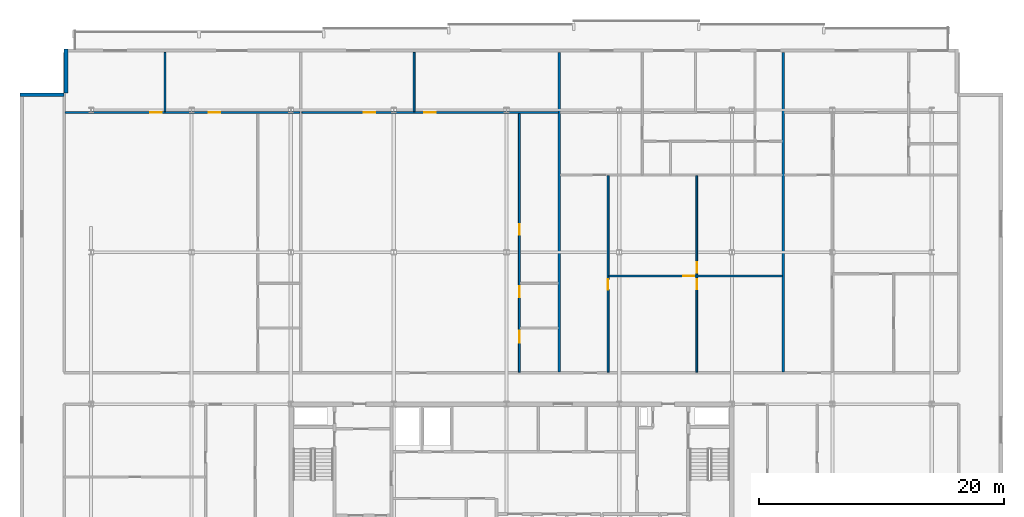
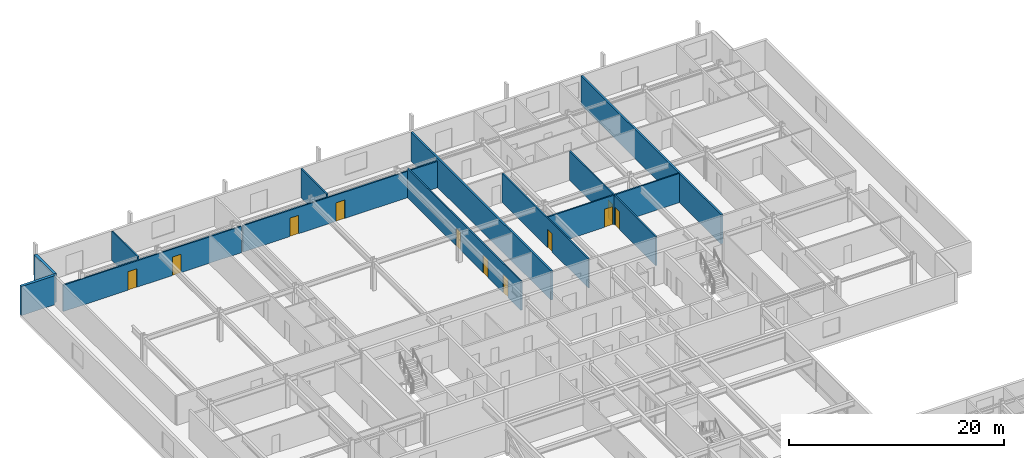
# One storey, part 27 of 36: 12 walls, 11 doors, 11 openings.
"""IFC4 building model written with IfcOpenShell, lengths in metres."""

from ifc_helpers import new_model, si_unit, direction, frame, frame_2d, origin, place, context, subcontext, project, spatial, rectangle, extrude, material, layer, layer_set, type_object, element, fill, save


model = new_model("IFC4")

# Units and contexts
model_context = context("Model", 3, precision=1e-05, world=origin(), true_north=direction((0.0, 1.0)))
body_context = subcontext(model_context, "Body", "Model", "MODEL_VIEW")
ifc_project = project(units=[si_unit("LENGTHUNIT", "METRE"), si_unit("AREAUNIT", "SQUARE_METRE"), si_unit("VOLUMEUNIT", "CUBIC_METRE"), si_unit("PLANEANGLEUNIT", "RADIAN"), si_unit("MASSUNIT", "GRAM", prefix="KILO")], contexts=[model_context])

# Site, building, storey
site_placement = place(None, origin())
site = spatial("IfcSite", under=ifc_project, at=site_placement, CompositionType="ELEMENT")
building_placement = place(site_placement, origin())
building = spatial("IfcBuilding", under=site, at=building_placement, Name="Korimba Cascade Residences", CompositionType="ELEMENT")
storey_placement = place(building_placement, frame((0.0, 0.0, 146.5)))
storey = spatial("IfcBuildingStorey", under=building, at=storey_placement, Name="L42", CompositionType="ELEMENT", Elevation=146.5)

# Walls
ifc_material_1 = material(Name="Precast concrete C40/50", Category="concrete")
ifc_layer_1 = layer(ifc_material_1, 0.300048828125)
ifc_layer_set_1 = layer_set([ifc_layer_1], Name="Precast concrete C40/50")
wall_type_1 = type_object("IfcWallType", Name="EW-STONE-300", PredefinedType="STANDARD", material=ifc_layer_set_1)
wall_1_placement = place(storey_placement, frame((57.75, 96.199951171875, 0.0), z_axis=(0.0, 0.0, 1.0), x_axis=(0.0, -1.0, 0.0)))
element("IfcWall", 1, at=wall_1_placement, inside=storey, type_object=wall_type_1, Name="L42 T1 Perimeter Stone Wall E07", PredefinedType="STANDARD", context=body_context, shape_type="SweptSolid", body=[
    extrude(rectangle(XDim=3.599853515625, YDim=0.300048828125, at=frame_2d((1.7998046875, 0.0))), origin(), (0.0, 0.0, 1.0), 3.31005859375),
])
wall_2_placement = place(storey_placement, frame((57.60009765625, 92.449951171875, 0.0), z_axis=(0.0, 0.0, 1.0), x_axis=(-1.0, 0.0, 0.0)))
element("IfcWall", 2, at=wall_2_placement, inside=storey, type_object=wall_type_1, Name="L42 T1 Perimeter Stone Wall E08", PredefinedType="STANDARD", context=body_context, shape_type="SweptSolid", body=[
    extrude(rectangle(XDim=3.60009765625, YDim=0.300048828125, at=frame_2d((1.800048828125, 0.0))), origin(), (0.0, 0.0, 1.0), 3.31005859375),
])
ifc_layer_2 = layer(ifc_material_1, 0.199951171875)
ifc_layer_set_2 = layer_set([ifc_layer_2], Name="Precast concrete C40/50")
wall_type_2 = type_object("IfcWallType", Name="WAL-IT-200", PredefinedType="PARTITIONING", material=ifc_layer_set_2)
for number, where, z_axis, x_axis, name in (
    (3, (98.021484375, 69.830078125, 0.0), (0.0, 0.0, 1.0), (0.0, 1.0, 0.0), "L42 Partition Wall WAL-L42-T1-DEM-2"),
    (4, (116.292724609375, 69.830078125, 0.0), (0.0, 0.0, 1.0), (0.0, 1.0, 0.0), "L42 Partition Wall WAL-L42-T1-DEM-3"),
):
    element("IfcWall", number, at=place(storey_placement, frame(where, z_axis=z_axis, x_axis=x_axis)), inside=storey, type_object=wall_type_2, Name=name, PredefinedType="PARTITIONING", context=body_context, shape_type="SweptSolid", body=[
        extrude(rectangle(XDim=26.06982421875, YDim=0.199951171875, at=frame_2d((13.034912109375, 0.0))), origin(), (0.0, 0.0, 1.0), 3.31005859375),
    ])
ifc_material_2 = material(Name="Insulated Acoustic Stud Partition", Category="gypsum")
ifc_layer_3 = layer(ifc_material_2, 0.14990234375)
ifc_layer_set_3 = layer_set([ifc_layer_3], Name="Insulated Acoustic Stud Partition")
wall_type_3 = type_object("IfcWallType", Name="WAL-PART-150", PredefinedType="PARTITIONING", material=ifc_layer_set_3)
wall_3_placement = place(storey_placement, frame((65.837158203125, 91.080078125, 0.0), z_axis=(0.0, 0.0, 1.0), x_axis=(0.0, 1.0, 0.0)))
element("IfcWall", 5, at=wall_3_placement, inside=storey, type_object=wall_type_3, Name="L42 Partition Wall WAL-L42-T1-U01-OUTV", PredefinedType="PARTITIONING", context=body_context, shape_type="SweptSolid", body=[
    extrude(rectangle(XDim=4.81982421875, YDim=0.14990234375, at=frame_2d((2.409912109375, 0.0))), origin(), (0.0, 0.0, 1.0), 3.31005859375),
])

# Wall, openings, doors
wall_4_placement = place(storey_placement, frame((57.679931640625, 91.0, 0.0), z_axis=(0.0, 0.0, 1.0), x_axis=(1.0, 0.0, 0.0)))
wall_4 = element("IfcWall", 6, at=wall_4_placement, inside=storey, type_object=wall_type_3, Name="L42 Partition Wall WAL-L42-T1-U01-HZ", PredefinedType="PARTITIONING", context=body_context, shape_type="SweptSolid", body=[
    extrude(rectangle(XDim=19.154296875, YDim=0.14990234375, at=frame_2d((9.5771484375, 0.0))), origin(), (0.0, 0.0, 1.0), 3.00341796875),
])
opening_1_placement = place(wall_4_placement, frame((6.967041015625, 0.0, 0.0)))
opening_1 = element("IfcOpeningElement", 7, at=opening_1_placement, cuts=wall_4, Name="Opening D-IN0", PredefinedType="OPENING", context=body_context, shape_type="SweptSolid", body=[
    extrude(rectangle(XDim=0.93994140625, YDim=2.10009765625, at=frame_2d((0.469970703125, 1.050048828125))), frame((0.0, 0.0849609375, 0.0), z_axis=(0.0, -1.0, 0.0), x_axis=(1.0, 0.0, 0.0)), (0.0, 0.0, 1.0), 0.169921875),
])
opening_2_placement = place(wall_4_placement, frame((11.72119140625, 0.0, 0.0)))
opening_2 = element("IfcOpeningElement", 8, at=opening_2_placement, cuts=wall_4, Name="Opening D-IN0", PredefinedType="OPENING", context=body_context, shape_type="SweptSolid", body=[
    extrude(rectangle(XDim=0.93994140625, YDim=2.10009765625, at=frame_2d((0.469970703125, 1.050048828125))), frame((0.0, 0.0849609375, 0.0), z_axis=(0.0, -1.0, 0.0), x_axis=(1.0, 0.0, 0.0)), (0.0, 0.0, 1.0), 0.169921875),
])
ifc_material_3 = material(Name="Acoustic Timber Living Archway Door", Category="wood")
door_type_1 = type_object("IfcDoorType", Name="DR-INT-950", OperationType="NOTDEFINED", PredefinedType="DOOR", material=ifc_material_3)
door_1_placement = place(opening_1_placement, origin())
door_1 = element("IfcDoor", 9, at=door_1_placement, inside=storey, type_object=door_type_1, Name="L42-T1-U01 Resident Boardroom Door", OperationType="SINGLE_SWING_RIGHT", OverallHeight=2.10009765625, OverallWidth=0.93994140625, PredefinedType="DOOR", context=body_context, shape_type="SweptSolid", body=[
    extrude(rectangle(XDim=0.93994140625, YDim=2.10009765625, at=frame_2d((0.469970703125, 1.050048828125))), frame((0.0, 0.02490234375, 0.0), z_axis=(0.0, -1.0, 0.0), x_axis=(1.0, 0.0, 0.0)), (0.0, 0.0, 1.0), 0.050048828125),
])
fill(opening_1, door_1)
door_2_placement = place(opening_2_placement, origin())
door_2 = element("IfcDoor", 10, at=door_2_placement, inside=storey, type_object=door_type_1, Name="L42-T1-U01 Executive Seminar Room Door", OperationType="SINGLE_SWING_LEFT", OverallHeight=2.10009765625, OverallWidth=0.93994140625, PredefinedType="DOOR", context=body_context, shape_type="SweptSolid", body=[
    extrude(rectangle(XDim=0.93994140625, YDim=2.10009765625, at=frame_2d((0.469970703125, 1.050048828125))), frame((0.0, 0.02490234375, 0.0), z_axis=(0.0, -1.0, 0.0), x_axis=(1.0, 0.0, 0.0)), (0.0, 0.0, 1.0), 0.050048828125),
])
fill(opening_2, door_2)

wall_5_placement = place(storey_placement, frame((94.75146484375, 69.81005859375, 0.0), z_axis=(0.0, 0.0, 1.0), x_axis=(0.0, 1.0, 0.0)))
wall_5 = element("IfcWall", 11, at=wall_5_placement, inside=storey, type_object=wall_type_3, Name="L42 Partition Wall WAL-L42-T1-U02-WCV", PredefinedType="PARTITIONING", context=body_context, shape_type="SweptSolid", body=[
    extrude(rectangle(XDim=21.1298828125, YDim=0.14990234375, at=frame_2d((10.56494140625, 0.0))), origin(), (0.0, 0.0, 1.0), 3.31005859375),
])
opening_3_placement = place(wall_5_placement, frame((2.406005859375, 0.0, 0.0)))
opening_3 = element("IfcOpeningElement", 12, at=opening_3_placement, cuts=wall_5, Name="Opening D-AC1", PredefinedType="OPENING", context=body_context, shape_type="SweptSolid", body=[
    extrude(rectangle(XDim=0.9599609375, YDim=2.10009765625, at=frame_2d((0.47998046875, 1.050048828125))), frame((0.0, 0.0849609375, 0.0), z_axis=(0.0, -1.0, 0.0), x_axis=(1.0, 0.0, 0.0)), (0.0, 0.0, 1.0), 0.169921875),
])
opening_4_placement = place(wall_5_placement, frame((6.132568359375, 0.0, 0.0)))
opening_4 = element("IfcOpeningElement", 13, at=opening_4_placement, cuts=wall_5, Name="Opening D-IN2", PredefinedType="OPENING", context=body_context, shape_type="SweptSolid", body=[
    extrude(rectangle(XDim=0.8798828125, YDim=2.06005859375, at=frame_2d((0.43994140625, 1.030029296875))), frame((0.0, 0.0849609375, 0.0), z_axis=(0.0, -1.0, 0.0), x_axis=(1.0, 0.0, 0.0)), (0.0, 0.0, 1.0), 0.169921875),
])
opening_5_placement = place(wall_5_placement, frame((11.23095703125, 0.0, 0.0)))
opening_5 = element("IfcOpeningElement", 14, at=opening_5_placement, cuts=wall_5, Name="Opening D-BT1", PredefinedType="OPENING", context=body_context, shape_type="SweptSolid", body=[
    extrude(rectangle(XDim=0.840087890625, YDim=2.0400390625, at=frame_2d((0.419921875, 1.02001953125))), frame((0.0, 0.0849609375, 0.0), z_axis=(0.0, -1.0, 0.0), x_axis=(1.0, 0.0, 0.0)), (0.0, 0.0, 1.0), 0.169921875),
])
ifc_material_4 = material(Name="Accessible Acoustic Timber WC Door", Category="wood")
door_type_2 = type_object("IfcDoorType", Name="DR-ACC-950", OperationType="NOTDEFINED", PredefinedType="DOOR", material=ifc_material_4)
door_3_placement = place(opening_3_placement, origin())
door_3 = element("IfcDoor", 15, at=door_3_placement, inside=storey, type_object=door_type_2, Name="L42-T1-U02 Accessible WC Door", OperationType="SINGLE_SWING_RIGHT", OverallHeight=2.10009765625, OverallWidth=0.9599609375, PredefinedType="DOOR", context=body_context, shape_type="SweptSolid", body=[
    extrude(rectangle(XDim=0.9599609375, YDim=2.10009765625, at=frame_2d((0.47998046875, 1.050048828125))), frame((0.0, 0.02490234375, 0.0), z_axis=(0.0, -1.0, 0.0), x_axis=(1.0, 0.0, 0.0)), (0.0, 0.0, 1.0), 0.050048828125),
])
fill(opening_3, door_3)
ifc_material_5 = material(Name="Moisture-Resistant Bathroom Timber Door", Category="wood")
door_type_3 = type_object("IfcDoorType", Name="DR-INT-850", OperationType="NOTDEFINED", PredefinedType="DOOR", material=ifc_material_5)
door_4_placement = place(opening_5_placement, origin())
door_4 = element("IfcDoor", 16, at=door_4_placement, inside=storey, type_object=door_type_3, Name="L42-T1-U02 Suite Store Door", OperationType="SINGLE_SWING_RIGHT", OverallHeight=2.0400390625, OverallWidth=0.840087890625, PredefinedType="DOOR", context=body_context, shape_type="SweptSolid", body=[
    extrude(rectangle(XDim=0.840087890625, YDim=2.0400390625, at=frame_2d((0.419921875, 1.02001953125))), frame((0.0, 0.02490234375, 0.0), z_axis=(0.0, -1.0, 0.0), x_axis=(1.0, 0.0, 0.0)), (0.0, 0.0, 1.0), 0.050048828125),
])
fill(opening_5, door_4)
ifc_material_6 = material(Name="Acoustic Timber Bedroom Door", Category="wood")
door_type_4 = type_object("IfcDoorType", Name="DR-INT-880", OperationType="NOTDEFINED", PredefinedType="DOOR", material=ifc_material_6)
door_5_placement = place(opening_4_placement, origin())
door_5 = element("IfcDoor", 17, at=door_5_placement, inside=storey, type_object=door_type_4, Name="L42-T1-U02 Restroom WC Door", OperationType="SINGLE_SWING_LEFT", OverallHeight=2.06005859375, OverallWidth=0.8798828125, PredefinedType="DOOR", context=body_context, shape_type="SweptSolid", body=[
    extrude(rectangle(XDim=0.8798828125, YDim=2.06005859375, at=frame_2d((0.43994140625, 1.030029296875))), frame((0.0, 0.02490234375, 0.0), z_axis=(0.0, -1.0, 0.0), x_axis=(1.0, 0.0, 0.0)), (0.0, 0.0, 1.0), 0.050048828125),
])
fill(opening_4, door_5)

# Wall
wall_6_placement = place(storey_placement, frame((86.162841796875, 91.080078125, 0.0), z_axis=(0.0, 0.0, 1.0), x_axis=(0.0, 1.0, 0.0)))
element("IfcWall", 18, at=wall_6_placement, inside=storey, type_object=wall_type_3, Name="L42 Partition Wall WAL-L42-T1-U02-OUTV", PredefinedType="PARTITIONING", context=body_context, shape_type="SweptSolid", body=[
    extrude(rectangle(XDim=4.81982421875, YDim=0.14990234375, at=frame_2d((2.409912109375, 0.0))), origin(), (0.0, 0.0, 1.0), 3.31005859375),
])

# Wall, openings, doors
wall_7_placement = place(storey_placement, frame((76.994384765625, 91.0, 0.0), z_axis=(0.0, 0.0, 1.0), x_axis=(1.0, 0.0, 0.0)))
wall_7 = element("IfcWall", 19, at=wall_7_placement, inside=storey, type_object=wall_type_3, Name="L42 Partition Wall WAL-L42-T1-U02-HZ", PredefinedType="PARTITIONING", context=body_context, shape_type="SweptSolid", body=[
    extrude(rectangle(XDim=20.947021484375, YDim=0.14990234375, at=frame_2d((10.4736328125, 0.0))), origin(), (0.0, 0.0, 1.0), 3.00341796875),
])
opening_6_placement = place(wall_7_placement, frame((5.041748046875, 0.0, 0.0)))
opening_6 = element("IfcOpeningElement", 20, at=opening_6_placement, cuts=wall_7, Name="Opening D-IN0", PredefinedType="OPENING", context=body_context, shape_type="SweptSolid", body=[
    extrude(rectangle(XDim=0.93994140625, YDim=2.10009765625, at=frame_2d((0.469970703125, 1.050048828125))), frame((0.0, 0.0849609375, 0.0), z_axis=(0.0, -1.0, 0.0), x_axis=(1.0, 0.0, 0.0)), (0.0, 0.0, 1.0), 0.169921875),
])
opening_7_placement = place(wall_7_placement, frame((10.003662109375, 0.0, 0.0)))
opening_7 = element("IfcOpeningElement", 21, at=opening_7_placement, cuts=wall_7, Name="Opening D-IN0", PredefinedType="OPENING", context=body_context, shape_type="SweptSolid", body=[
    extrude(rectangle(XDim=0.93994140625, YDim=2.10009765625, at=frame_2d((0.469970703125, 1.050048828125))), frame((0.0, 0.0849609375, 0.0), z_axis=(0.0, -1.0, 0.0), x_axis=(1.0, 0.0, 0.0)), (0.0, 0.0, 1.0), 0.169921875),
])
door_6_placement = place(opening_6_placement, origin())
door_6 = element("IfcDoor", 22, at=door_6_placement, inside=storey, type_object=door_type_1, Name="L42-T1-U02 Fitness Pilates Gym Door", OperationType="SINGLE_SWING_LEFT", OverallHeight=2.10009765625, OverallWidth=0.93994140625, PredefinedType="DOOR", context=body_context, shape_type="SweptSolid", body=[
    extrude(rectangle(XDim=0.93994140625, YDim=2.10009765625, at=frame_2d((0.469970703125, 1.050048828125))), frame((0.0, 0.02490234375, 0.0), z_axis=(0.0, -1.0, 0.0), x_axis=(1.0, 0.0, 0.0)), (0.0, 0.0, 1.0), 0.050048828125),
])
fill(opening_6, door_6)
door_7_placement = place(opening_7_placement, origin())
door_7 = element("IfcDoor", 23, at=door_7_placement, inside=storey, type_object=door_type_1, Name="L42-T1-U02 Private Screening Cinema Door", OperationType="SINGLE_SWING_RIGHT", OverallHeight=2.10009765625, OverallWidth=0.93994140625, PredefinedType="DOOR", context=body_context, shape_type="SweptSolid", body=[
    extrude(rectangle(XDim=0.93994140625, YDim=2.10009765625, at=frame_2d((0.469970703125, 1.050048828125))), frame((0.0, 0.02490234375, 0.0), z_axis=(0.0, -1.0, 0.0), x_axis=(1.0, 0.0, 0.0)), (0.0, 0.0, 1.0), 0.050048828125),
])
fill(opening_7, door_7)

wall_8_placement = place(storey_placement, frame((109.232177734375, 69.81005859375, 0.0), z_axis=(0.0, 0.0, 1.0), x_axis=(0.0, 1.0, 0.0)))
wall_8 = element("IfcWall", 24, at=wall_8_placement, inside=storey, type_object=wall_type_3, Name="L42 Partition Wall WAL-L42-T1-U03-FMV", PredefinedType="PARTITIONING", context=body_context, shape_type="SweptSolid", body=[
    extrude(rectangle(XDim=16.050048828125, YDim=0.14990234375, at=frame_2d((8.02490234375, 0.0))), origin(), (0.0, 0.0, 1.0), 3.31005859375),
])
opening_8_placement = place(wall_8_placement, frame((6.7548828125, 0.0, 0.0)))
opening_8 = element("IfcOpeningElement", 25, at=opening_8_placement, cuts=wall_8, Name="Opening D-BT1", PredefinedType="OPENING", context=body_context, shape_type="SweptSolid", body=[
    extrude(rectangle(XDim=0.840087890625, YDim=2.0400390625, at=frame_2d((0.419921875, 1.02001953125))), frame((0.0, 0.0849609375, 0.0), z_axis=(0.0, -1.0, 0.0), x_axis=(1.0, 0.0, 0.0)), (0.0, 0.0, 1.0), 0.169921875),
])
opening_9_placement = place(wall_8_placement, frame((8.094970703125, 0.0, 0.0)))
opening_9 = element("IfcOpeningElement", 26, at=opening_9_placement, cuts=wall_8, Name="Opening D-IN2", PredefinedType="OPENING", context=body_context, shape_type="SweptSolid", body=[
    extrude(rectangle(XDim=0.8798828125, YDim=2.06005859375, at=frame_2d((0.43994140625, 1.030029296875))), frame((0.0, 0.0849609375, 0.0), z_axis=(0.0, -1.0, 0.0), x_axis=(1.0, 0.0, 0.0)), (0.0, 0.0, 1.0), 0.169921875),
])
door_8_placement = place(opening_8_placement, origin())
door_8 = element("IfcDoor", 27, at=door_8_placement, inside=storey, type_object=door_type_3, Name="L42-T1-U03 Wardrobe Door", OperationType="SINGLE_SWING_LEFT", OverallHeight=2.0400390625, OverallWidth=0.840087890625, PredefinedType="DOOR", context=body_context, shape_type="SweptSolid", body=[
    extrude(rectangle(XDim=0.840087890625, YDim=2.0400390625, at=frame_2d((0.419921875, 1.02001953125))), frame((0.0, 0.02490234375, 0.0), z_axis=(0.0, -1.0, 0.0), x_axis=(1.0, 0.0, 0.0)), (0.0, 0.0, 1.0), 0.050048828125),
])
fill(opening_8, door_8)
door_9_placement = place(opening_9_placement, origin())
door_9 = element("IfcDoor", 28, at=door_9_placement, inside=storey, type_object=door_type_4, Name="L42-T1-U03 Music Lounge Door", OperationType="SINGLE_SWING_RIGHT", OverallHeight=2.06005859375, OverallWidth=0.8798828125, PredefinedType="DOOR", context=body_context, shape_type="SweptSolid", body=[
    extrude(rectangle(XDim=0.8798828125, YDim=2.06005859375, at=frame_2d((0.43994140625, 1.030029296875))), frame((0.0, 0.02490234375, 0.0), z_axis=(0.0, -1.0, 0.0), x_axis=(1.0, 0.0, 0.0)), (0.0, 0.0, 1.0), 0.050048828125),
])
fill(opening_9, door_9)

# Wall, opening, door
wall_9_placement = place(storey_placement, frame((102.051513671875, 77.655029296875, 0.0), z_axis=(0.0, 0.0, 1.0), x_axis=(1.0, 0.0, 0.0)))
wall_9 = element("IfcWall", 29, at=wall_9_placement, inside=storey, type_object=wall_type_3, Name="L42 Partition Wall WAL-L42-T1-U03-FMH", PredefinedType="PARTITIONING", context=body_context, shape_type="SweptSolid", body=[
    extrude(rectangle(XDim=14.161376953125, YDim=0.14990234375, at=frame_2d((7.08056640625, 0.0))), origin(), (0.0, 0.0, 1.0), 3.31005859375),
])
opening_10_placement = place(wall_9_placement, frame((6.080810546875, 0.0, 0.0)))
opening_10 = element("IfcOpeningElement", 30, at=opening_10_placement, cuts=wall_9, Name="Opening D-IN2", PredefinedType="OPENING", context=body_context, shape_type="SweptSolid", body=[
    extrude(rectangle(XDim=0.8798828125, YDim=2.06005859375, at=frame_2d((0.43994140625, 1.030029296875))), frame((0.0, 0.0849609375, 0.0), z_axis=(0.0, -1.0, 0.0), x_axis=(1.0, 0.0, 0.0)), (0.0, 0.0, 1.0), 0.169921875),
])
door_10_placement = place(opening_10_placement, origin())
door_10 = element("IfcDoor", 31, at=door_10_placement, inside=storey, type_object=door_type_4, Name="L42-T1-U03 Library Salon Door", OperationType="SINGLE_SWING_LEFT", OverallHeight=2.06005859375, OverallWidth=0.8798828125, PredefinedType="DOOR", context=body_context, shape_type="SweptSolid", body=[
    extrude(rectangle(XDim=0.8798828125, YDim=2.06005859375, at=frame_2d((0.43994140625, 1.030029296875))), frame((0.0, 0.02490234375, 0.0), z_axis=(0.0, -1.0, 0.0), x_axis=(1.0, 0.0, 0.0)), (0.0, 0.0, 1.0), 0.050048828125),
])
fill(opening_10, door_10)

wall_10_placement = place(storey_placement, frame((101.991455078125, 69.81005859375, 0.0), z_axis=(0.0, 0.0, 1.0), x_axis=(0.0, 1.0, 0.0)))
wall_10 = element("IfcWall", 32, at=wall_10_placement, inside=storey, type_object=wall_type_3, Name="L42 Partition Wall WAL-L42-T1-U03-FV", PredefinedType="PARTITIONING", context=body_context, shape_type="SweptSolid", body=[
    extrude(rectangle(XDim=16.050048828125, YDim=0.14990234375, at=frame_2d((8.02490234375, 0.0))), origin(), (0.0, 0.0, 1.0), 3.31005859375),
])
opening_11_placement = place(wall_10_placement, frame((6.715087890625, 0.0, 0.0)))
opening_11 = element("IfcOpeningElement", 33, at=opening_11_placement, cuts=wall_10, Name="Opening D-IN2", PredefinedType="OPENING", context=body_context, shape_type="SweptSolid", body=[
    extrude(rectangle(XDim=0.8798828125, YDim=2.06005859375, at=frame_2d((0.43994140625, 1.030029296875))), frame((0.0, 0.0849609375, 0.0), z_axis=(0.0, -1.0, 0.0), x_axis=(1.0, 0.0, 0.0)), (0.0, 0.0, 1.0), 0.169921875),
])
door_11_placement = place(opening_11_placement, origin())
door_11 = element("IfcDoor", 34, at=door_11_placement, inside=storey, type_object=door_type_4, Name="L42-T1-U03 Media Lounge Door", OperationType="SINGLE_SWING_RIGHT", OverallHeight=2.06005859375, OverallWidth=0.8798828125, PredefinedType="DOOR", context=body_context, shape_type="SweptSolid", body=[
    extrude(rectangle(XDim=0.8798828125, YDim=2.06005859375, at=frame_2d((0.43994140625, 1.030029296875))), frame((0.0, 0.02490234375, 0.0), z_axis=(0.0, -1.0, 0.0), x_axis=(1.0, 0.0, 0.0)), (0.0, 0.0, 1.0), 0.050048828125),
])
fill(opening_11, door_11)

save(model, "model.ifc")
